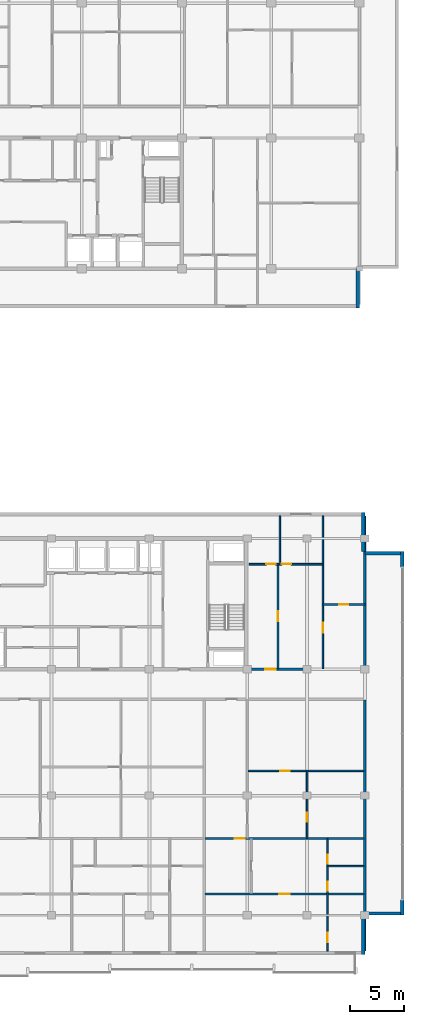
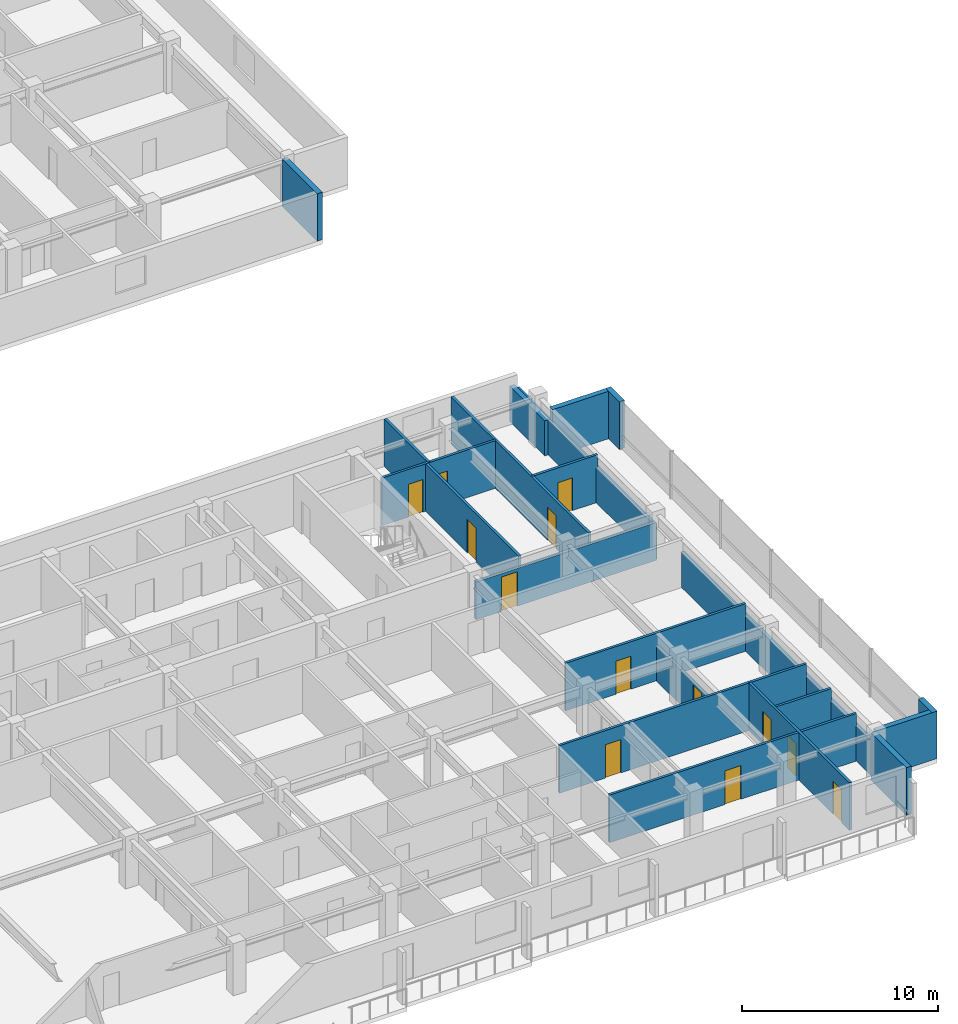
# One storey, part 18 of 30: 21 walls, 13 doors, 13 openings.
"""IFC4 building model written with IfcOpenShell, lengths in metres."""

from ifc_helpers import new_model, si_unit, direction, frame, frame_2d, origin, place, context, subcontext, project, spatial, rectangle, extrude, material, layer, layer_set, type_object, element, fill, save


model = new_model("IFC4")

# Units and contexts
model_context = context("Model", 3, precision=1e-05, world=origin(), true_north=direction((0.0, 1.0)))
body_context = subcontext(model_context, "Body", "Model", "MODEL_VIEW")
ifc_project = project(units=[si_unit("LENGTHUNIT", "METRE"), si_unit("AREAUNIT", "SQUARE_METRE"), si_unit("VOLUMEUNIT", "CUBIC_METRE"), si_unit("PLANEANGLEUNIT", "RADIAN"), si_unit("MASSUNIT", "GRAM", prefix="KILO")], contexts=[model_context])

# Site, building, storey
site_placement = place(None, origin())
site = spatial("IfcSite", under=ifc_project, at=site_placement, CompositionType="ELEMENT")
building_placement = place(site_placement, origin())
building = spatial("IfcBuilding", under=site, at=building_placement, Name="Korimba Cascade Residences", CompositionType="ELEMENT")
storey_placement = place(building_placement, frame((0.0, 0.0, 201.10009765625)))
storey = spatial("IfcBuildingStorey", under=building, at=storey_placement, Name="L58", CompositionType="ELEMENT", Elevation=201.10009765625)

# Walls
ifc_material_1 = material(Name="Precast concrete C40/50", Category="concrete")
ifc_layer_1 = layer(ifc_material_1, 0.300048828125)
ifc_layer_set_1 = layer_set([ifc_layer_1], Name="Precast concrete C40/50")
wall_type_1 = type_object("IfcWallType", Name="EW-STONE-300", PredefinedType="STANDARD", material=ifc_layer_set_1)
wall_1_placement = place(storey_placement, frame((128.25, 51.60009765625, 0.0), z_axis=(0.0, 0.0, 1.0), x_axis=(0.0, 1.0, 0.0)))
element("IfcWall", 1, at=wall_1_placement, inside=storey, type_object=wall_type_1, Name="L58 T1 Perimeter Stone Wall E01", PredefinedType="STANDARD", context=body_context, shape_type="SweptSolid", body=[
    extrude(rectangle(XDim=3.599853515625, YDim=0.300048828125, at=frame_2d((1.7998046875, 0.0))), origin(), (0.0, 0.0, 1.0), 2.969970703125),
])
for number, where, z_axis, x_axis, name in (
    (2, (128.75, -7.800048828125, 0.0), (0.0, 0.0, 1.0), (0.0, 1.0, 0.0), "L58 T2 Perimeter Stone Wall E01"),
    (3, (128.89990234375, -4.050048828125, 0.0), (0.0, 0.0, 1.0), (1.0, 0.0, 0.0), "L58 T2 Perimeter Stone Wall E02"),
):
    element("IfcWall", number, at=place(storey_placement, frame(where, z_axis=z_axis, x_axis=x_axis)), inside=storey, type_object=wall_type_1, Name=name, PredefinedType="STANDARD", context=body_context, shape_type="SweptSolid", body=[
        extrude(rectangle(XDim=3.60009765625, YDim=0.300048828125, at=frame_2d((1.800048828125, 0.0))), origin(), (0.0, 0.0, 1.0), 2.969970703125),
    ])
for number, where, z_axis, x_axis, name in (
    (4, (132.35009765625, -4.199951171875, 0.0), (0.0, 0.0, 1.0), (0.0, 1.0, 0.0), "L58 T2 Sky Pier 3A"),
    (5, (132.35009765625, 27.800048828125, 0.0), (0.0, 0.0, 1.0), (0.0, 1.0, 0.0), "L58 T2 Sky Pier 3B"),
):
    element("IfcWall", number, at=place(storey_placement, frame(where, z_axis=z_axis, x_axis=x_axis)), inside=storey, type_object=wall_type_1, Name=name, PredefinedType="STANDARD", context=body_context, shape_type="SweptSolid", body=[
        extrude(rectangle(XDim=1.39990234375, YDim=0.300048828125, at=frame_2d((0.699951171875, 0.0))), origin(), (0.0, 0.0, 1.0), 2.969970703125),
    ])
wall_2_placement = place(storey_placement, frame((132.5, 29.050048828125, 0.0), z_axis=(0.0, 0.0, 1.0), x_axis=(-1.0, 0.0, 0.0)))
element("IfcWall", 6, at=wall_2_placement, inside=storey, type_object=wall_type_1, Name="L58 T2 Perimeter Stone Wall E04", PredefinedType="STANDARD", context=body_context, shape_type="SweptSolid", body=[
    extrude(rectangle(XDim=3.60009765625, YDim=0.300048828125, at=frame_2d((1.800048828125, 0.0))), origin(), (0.0, 0.0, 1.0), 2.969970703125),
])
wall_3_placement = place(storey_placement, frame((128.75, 29.199951171875, 0.0), z_axis=(0.0, 0.0, 1.0), x_axis=(0.0, 1.0, 0.0)))
element("IfcWall", 7, at=wall_3_placement, inside=storey, type_object=wall_type_1, Name="L58 T2 Perimeter Stone Wall E05", PredefinedType="STANDARD", context=body_context, shape_type="SweptSolid", body=[
    extrude(rectangle(XDim=3.60009765625, YDim=0.300048828125, at=frame_2d((1.800048828125, 0.0))), origin(), (0.0, 0.0, 1.0), 2.2001953125),
])
ifc_layer_2 = layer(ifc_material_1, 0.199951171875)
ifc_layer_set_2 = layer_set([ifc_layer_2], Name="Precast concrete C40/50")
wall_type_2 = type_object("IfcWallType", Name="WAL-IT-200", PredefinedType="PARTITIONING", material=ifc_layer_set_2)
wall_4_placement = place(storey_placement, frame((128.89990234375, 18.39990234375, 0.0), z_axis=(0.0, 0.0, 1.0), x_axis=(0.0, 1.0, 0.0)))
element("IfcWall", 8, at=wall_4_placement, inside=storey, type_object=wall_type_2, Name="L58 Partition Wall WAL-L58-T2-FE-WR", PredefinedType="PARTITIONING", context=body_context, shape_type="SweptSolid", body=[
    extrude(rectangle(XDim=14.10009765625, YDim=0.199951171875, at=frame_2d((7.050048828125, 0.0))), origin(), (0.0, 0.0, 1.0), 2.2001953125),
])

# Wall, opening, door
wall_5_placement = place(storey_placement, frame((118.25, 18.39990234375, 0.0), z_axis=(0.0, 0.0, 1.0), x_axis=(1.0, 0.0, 0.0)))
wall_5 = element("IfcWall", 9, at=wall_5_placement, inside=storey, type_object=wall_type_2, Name="L58 Partition Wall WAL-L58-T2-FE-S", PredefinedType="PARTITIONING", context=body_context, shape_type="SweptSolid", body=[
    extrude(rectangle(XDim=10.64990234375, YDim=0.199951171875, at=frame_2d((5.324951171875, 0.0))), origin(), (0.0, 0.0, 1.0), 2.357666015625),
])
opening_1_placement = place(wall_5_placement, frame((1.510009765625, 0.0, 0.0)))
opening_1 = element("IfcOpeningElement", 10, at=opening_1_placement, cuts=wall_5, Name="Opening D-UN1", PredefinedType="OPENING", context=body_context, shape_type="SweptSolid", body=[
    extrude(rectangle(XDim=0.949951171875, YDim=2.14990234375, at=frame_2d((0.47509765625, 1.074951171875))), frame((0.0, 0.10986328125, 0.0), z_axis=(0.0, -1.0, 0.0), x_axis=(1.0, 0.0, 0.0)), (0.0, 0.0, 1.0), 0.219970703125),
])
ifc_material_2 = material(Name="Fire-Rated Hardwood Apartment Entrance Door", Category="wood")
door_type_1 = type_object("IfcDoorType", Name="DR-FD60-950", OperationType="NOTDEFINED", PredefinedType="DOOR", material=ifc_material_2)
door_1_placement = place(opening_1_placement, origin())
door_1 = element("IfcDoor", 11, at=door_1_placement, inside=storey, type_object=door_type_1, Name="L58-T2-FE Entrance Door", OperationType="SINGLE_SWING_LEFT", OverallHeight=2.14990234375, OverallWidth=0.949951171875, PredefinedType="DOOR", context=body_context, shape_type="SweptSolid", body=[
    extrude(rectangle(XDim=0.949951171875, YDim=2.14990234375, at=frame_2d((0.47509765625, 1.074951171875))), frame((0.0, 0.02490234375, 0.0), z_axis=(0.0, -1.0, 0.0), x_axis=(1.0, 0.0, 0.0)), (0.0, 0.0, 1.0), 0.050048828125),
])
fill(opening_1, door_1)

# Wall
wall_6_placement = place(storey_placement, frame((128.89990234375, -7.5, 0.0), z_axis=(0.0, 0.0, 1.0), x_axis=(0.0, 1.0, 0.0)))
element("IfcWall", 12, at=wall_6_placement, inside=storey, type_object=wall_type_2, Name="L58 Partition Wall WAL-L58-T2-BNDWR", PredefinedType="PARTITIONING", context=body_context, shape_type="SweptSolid", body=[
    extrude(rectangle(XDim=23.070068359375, YDim=0.199951171875, at=frame_2d((11.53515625, 0.0))), origin(), (0.0, 0.0, 1.0), 2.2001953125),
])

# Wall, opening, door
ifc_material_3 = material(Name="Insulated Acoustic Stud Partition", Category="gypsum")
ifc_layer_3 = layer(ifc_material_3, 0.14990234375)
ifc_layer_set_3 = layer_set([ifc_layer_3], Name="Insulated Acoustic Stud Partition")
wall_type_3 = type_object("IfcWallType", Name="WAL-PART-150", PredefinedType="PARTITIONING", material=ifc_layer_set_3)
wall_7_placement = place(storey_placement, frame((125.050048828125, 24.35009765625, 0.0), z_axis=(0.0, 0.0, 1.0), x_axis=(1.0, 0.0, 0.0)))
wall_7 = element("IfcWall", 13, at=wall_7_placement, inside=storey, type_object=wall_type_3, Name="L58 Partition Wall WAL-L58-T2-FE-STH", PredefinedType="PARTITIONING", context=body_context, shape_type="SweptSolid", body=[
    extrude(rectangle(XDim=3.849853515625, YDim=0.14990234375, at=frame_2d((1.9248046875, 0.0))), origin(), (0.0, 0.0, 1.0), 2.969970703125),
])
opening_2_placement = place(wall_7_placement, frame((1.5048828125, 0.0, 0.0)))
opening_2 = element("IfcOpeningElement", 14, at=opening_2_placement, cuts=wall_7, Name="Opening D-BT1", PredefinedType="OPENING", context=body_context, shape_type="SweptSolid", body=[
    extrude(rectangle(XDim=0.840087890625, YDim=2.0400390625, at=frame_2d((0.419921875, 1.02001953125))), frame((0.0, 0.0849609375, 0.0), z_axis=(0.0, -1.0, 0.0), x_axis=(1.0, 0.0, 0.0)), (0.0, 0.0, 1.0), 0.169921875),
])
ifc_material_4 = material(Name="Moisture-Resistant Bathroom Timber Door", Category="wood")
door_type_2 = type_object("IfcDoorType", Name="DR-INT-850", OperationType="NOTDEFINED", PredefinedType="DOOR", material=ifc_material_4)
door_2_placement = place(opening_2_placement, origin())
door_2 = element("IfcDoor", 15, at=door_2_placement, inside=storey, type_object=door_type_2, Name="L58-T2-FE Dressing Store Door", OperationType="SINGLE_SWING_RIGHT", OverallHeight=2.0400390625, OverallWidth=0.840087890625, PredefinedType="DOOR", context=body_context, shape_type="SweptSolid", body=[
    extrude(rectangle(XDim=0.840087890625, YDim=2.0400390625, at=frame_2d((0.419921875, 1.02001953125))), frame((0.0, 0.02490234375, 0.0), z_axis=(0.0, -1.0, 0.0), x_axis=(1.0, 0.0, 0.0)), (0.0, 0.0, 1.0), 0.050048828125),
])
fill(opening_2, door_2)

wall_8_placement = place(storey_placement, frame((125.050048828125, 18.449951171875, 0.0), z_axis=(0.0, 0.0, 1.0), x_axis=(0.0, 1.0, 0.0)))
wall_8 = element("IfcWall", 16, at=wall_8_placement, inside=storey, type_object=wall_type_3, Name="L58 Partition Wall WAL-L58-T2-FE-STV", PredefinedType="PARTITIONING", context=body_context, shape_type="SweptSolid", body=[
    extrude(rectangle(XDim=14.050048828125, YDim=0.14990234375, at=frame_2d((7.02490234375, 0.0))), origin(), (0.0, 0.0, 1.0), 2.969970703125),
])
opening_3_placement = place(wall_8_placement, frame((3.320068359375, 0.0, 0.0)))
opening_3 = element("IfcOpeningElement", 17, at=opening_3_placement, cuts=wall_8, Name="Opening D-IN2", PredefinedType="OPENING", context=body_context, shape_type="SweptSolid", body=[
    extrude(rectangle(XDim=0.8798828125, YDim=2.06005859375, at=frame_2d((0.43994140625, 1.030029296875))), frame((0.0, 0.0849609375, 0.0), z_axis=(0.0, -1.0, 0.0), x_axis=(1.0, 0.0, 0.0)), (0.0, 0.0, 1.0), 0.169921875),
])
ifc_material_5 = material(Name="Acoustic Timber Bedroom Door", Category="wood")
door_type_3 = type_object("IfcDoorType", Name="DR-INT-880", OperationType="NOTDEFINED", PredefinedType="DOOR", material=ifc_material_5)
door_3_placement = place(opening_3_placement, origin())
door_3 = element("IfcDoor", 18, at=door_3_placement, inside=storey, type_object=door_type_3, Name="L58-T2-FE Study Door", OperationType="SINGLE_SWING_LEFT", OverallHeight=2.06005859375, OverallWidth=0.8798828125, PredefinedType="DOOR", context=body_context, shape_type="SweptSolid", body=[
    extrude(rectangle(XDim=0.8798828125, YDim=2.06005859375, at=frame_2d((0.43994140625, 1.030029296875))), frame((0.0, 0.02490234375, 0.0), z_axis=(0.0, -1.0, 0.0), x_axis=(1.0, 0.0, 0.0)), (0.0, 0.0, 1.0), 0.050048828125),
])
fill(opening_3, door_3)

wall_9_placement = place(storey_placement, frame((120.929931640625, 18.449951171875, 0.0), z_axis=(0.0, 0.0, 1.0), x_axis=(0.0, 1.0, 0.0)))
wall_9 = element("IfcWall", 19, at=wall_9_placement, inside=storey, type_object=wall_type_3, Name="L58 Partition Wall WAL-L58-T2-FE-VS", PredefinedType="PARTITIONING", context=body_context, shape_type="SweptSolid", body=[
    extrude(rectangle(XDim=9.60009765625, YDim=0.14990234375, at=frame_2d((4.800048828125, 0.0))), origin(), (0.0, 0.0, 1.0), 2.969970703125),
])
opening_4_placement = place(wall_9_placement, frame((4.340087890625, 0.0, 0.0)))
opening_4 = element("IfcOpeningElement", 20, at=opening_4_placement, cuts=wall_9, Name="Opening D-IN1", PredefinedType="OPENING", context=body_context, shape_type="SweptSolid", body=[
    extrude(rectangle(XDim=0.919921875, YDim=2.080078125, at=frame_2d((0.4599609375, 1.0400390625))), frame((0.0, 0.0849609375, 0.0), z_axis=(0.0, -1.0, 0.0), x_axis=(1.0, 0.0, 0.0)), (0.0, 0.0, 1.0), 0.169921875),
])
ifc_material_6 = material(Name="Acoustic Timber Living Door", Category="wood")
door_type_4 = type_object("IfcDoorType", Name="DR-INT-920", OperationType="NOTDEFINED", PredefinedType="DOOR", material=ifc_material_6)
door_4_placement = place(opening_4_placement, origin())
door_4 = element("IfcDoor", 21, at=door_4_placement, inside=storey, type_object=door_type_4, Name="L58-T2-FE Living Door", OperationType="SINGLE_SWING_RIGHT", OverallHeight=2.080078125, OverallWidth=0.919921875, PredefinedType="DOOR", context=body_context, shape_type="SweptSolid", body=[
    extrude(rectangle(XDim=0.919921875, YDim=2.080078125, at=frame_2d((0.4599609375, 1.0400390625))), frame((0.0, 0.02490234375, 0.0), z_axis=(0.0, -1.0, 0.0), x_axis=(1.0, 0.0, 0.0)), (0.0, 0.0, 1.0), 0.050048828125),
])
fill(opening_4, door_4)

# Wall
wall_10_placement = place(storey_placement, frame((121.10009765625, 28.050048828125, 0.0), z_axis=(0.0, 0.0, 1.0), x_axis=(0.0, 1.0, 0.0)))
element("IfcWall", 22, at=wall_10_placement, inside=storey, type_object=wall_type_3, Name="L58 Partition Wall WAL-L58-T2-FE-VN", PredefinedType="PARTITIONING", context=body_context, shape_type="SweptSolid", body=[
    extrude(rectangle(XDim=4.449951171875, YDim=0.14990234375, at=frame_2d((2.22509765625, 0.0))), origin(), (0.0, 0.0, 1.0), 2.969970703125),
])

# Wall, openings, doors
wall_11_placement = place(storey_placement, frame((118.27001953125, 28.050048828125, 0.0), z_axis=(0.0, 0.0, 1.0), x_axis=(1.0, 0.0, 0.0)))
wall_11 = element("IfcWall", 23, at=wall_11_placement, inside=storey, type_object=wall_type_3, Name="L58 Partition Wall WAL-L58-T2-FE-H", PredefinedType="PARTITIONING", context=body_context, shape_type="SweptSolid", body=[
    extrude(rectangle(XDim=6.760009765625, YDim=0.14990234375, at=frame_2d((3.3798828125, 0.0))), origin(), (0.0, 0.0, 1.0), 2.969970703125),
])
opening_5_placement = place(wall_11_placement, frame((1.58740234375, 0.0, 0.0)))
opening_5 = element("IfcOpeningElement", 24, at=opening_5_placement, cuts=wall_11, Name="Opening D-BT1", PredefinedType="OPENING", context=body_context, shape_type="SweptSolid", body=[
    extrude(rectangle(XDim=0.840087890625, YDim=2.0400390625, at=frame_2d((0.419921875, 1.02001953125))), frame((0.0, 0.0849609375, 0.0), z_axis=(0.0, -1.0, 0.0), x_axis=(1.0, 0.0, 0.0)), (0.0, 0.0, 1.0), 0.169921875),
])
opening_6_placement = place(wall_11_placement, frame((2.988037109375, 0.0, 0.0)))
opening_6 = element("IfcOpeningElement", 25, at=opening_6_placement, cuts=wall_11, Name="Opening D-IN2", PredefinedType="OPENING", context=body_context, shape_type="SweptSolid", body=[
    extrude(rectangle(XDim=0.8798828125, YDim=2.06005859375, at=frame_2d((0.43994140625, 1.030029296875))), frame((0.0, 0.0849609375, 0.0), z_axis=(0.0, -1.0, 0.0), x_axis=(1.0, 0.0, 0.0)), (0.0, 0.0, 1.0), 0.169921875),
])
door_5_placement = place(opening_5_placement, origin())
door_5 = element("IfcDoor", 26, at=door_5_placement, inside=storey, type_object=door_type_2, Name="L58-T2-FE Bathroom Door", OperationType="SINGLE_SWING_LEFT", OverallHeight=2.0400390625, OverallWidth=0.840087890625, PredefinedType="DOOR", context=body_context, shape_type="SweptSolid", body=[
    extrude(rectangle(XDim=0.840087890625, YDim=2.0400390625, at=frame_2d((0.419921875, 1.02001953125))), frame((0.0, 0.02490234375, 0.0), z_axis=(0.0, -1.0, 0.0), x_axis=(1.0, 0.0, 0.0)), (0.0, 0.0, 1.0), 0.050048828125),
])
fill(opening_5, door_5)
door_6_placement = place(opening_6_placement, origin())
door_6 = element("IfcDoor", 27, at=door_6_placement, inside=storey, type_object=door_type_3, Name="L58-T2-FE Bedroom Door", OperationType="SINGLE_SWING_RIGHT", OverallHeight=2.06005859375, OverallWidth=0.8798828125, PredefinedType="DOOR", context=body_context, shape_type="SweptSolid", body=[
    extrude(rectangle(XDim=0.8798828125, YDim=2.06005859375, at=frame_2d((0.43994140625, 1.030029296875))), frame((0.0, 0.02490234375, 0.0), z_axis=(0.0, -1.0, 0.0), x_axis=(1.0, 0.0, 0.0)), (0.0, 0.0, 1.0), 0.050048828125),
])
fill(opening_6, door_6)

# Wall, opening, door
wall_12_placement = place(storey_placement, frame((123.595703125, 2.889892578125, 0.0), z_axis=(0.0, 0.0, 1.0), x_axis=(0.0, 1.0, 0.0)))
wall_12 = element("IfcWall", 28, at=wall_12_placement, inside=storey, type_object=wall_type_3, Name="L58 Partition Wall WAL-L58-T2-U03-FMV", PredefinedType="PARTITIONING", context=body_context, shape_type="SweptSolid", body=[
    extrude(rectangle(XDim=6.170166015625, YDim=0.14990234375, at=frame_2d((3.0849609375, 0.0))), origin(), (0.0, 0.0, 1.0), 2.2001953125),
])
opening_7_placement = place(wall_12_placement, frame((1.485107421875, 0.0, 0.0)))
opening_7 = element("IfcOpeningElement", 29, at=opening_7_placement, cuts=wall_12, Name="Opening D-BT1", PredefinedType="OPENING", context=body_context, shape_type="SweptSolid", body=[
    extrude(rectangle(XDim=0.840087890625, YDim=2.0400390625, at=frame_2d((0.419921875, 1.02001953125))), frame((0.0, 0.0849609375, 0.0), z_axis=(0.0, -1.0, 0.0), x_axis=(1.0, 0.0, 0.0)), (0.0, 0.0, 1.0), 0.169921875),
])
door_7_placement = place(opening_7_placement, origin())
door_7 = element("IfcDoor", 30, at=door_7_placement, inside=storey, type_object=door_type_2, Name="L58-T2-U03 Wardrobe Door", OperationType="SINGLE_SWING_RIGHT", OverallHeight=2.0400390625, OverallWidth=0.840087890625, PredefinedType="DOOR", context=body_context, shape_type="SweptSolid", body=[
    extrude(rectangle(XDim=0.840087890625, YDim=2.0400390625, at=frame_2d((0.419921875, 1.02001953125))), frame((0.0, 0.02490234375, 0.0), z_axis=(0.0, -1.0, 0.0), x_axis=(1.0, 0.0, 0.0)), (0.0, 0.0, 1.0), 0.050048828125),
])
fill(opening_7, door_7)

wall_13_placement = place(storey_placement, frame((118.171630859375, 9.06005859375, 0.0), z_axis=(0.0, 0.0, 1.0), x_axis=(1.0, 0.0, 0.0)))
wall_13 = element("IfcWall", 31, at=wall_13_placement, inside=storey, type_object=wall_type_3, Name="L58 Partition Wall WAL-L58-T2-U03-FMH", PredefinedType="PARTITIONING", context=body_context, shape_type="SweptSolid", body=[
    extrude(rectangle(XDim=10.6484375, YDim=0.14990234375, at=frame_2d((5.32421875, 0.0))), origin(), (0.0, 0.0, 1.0), 2.969970703125),
])
opening_8_placement = place(wall_13_placement, frame((2.972900390625, 0.0, 0.0)))
opening_8 = element("IfcOpeningElement", 32, at=opening_8_placement, cuts=wall_13, Name="Opening D-IN2", PredefinedType="OPENING", context=body_context, shape_type="SweptSolid", body=[
    extrude(rectangle(XDim=0.8798828125, YDim=2.06005859375, at=frame_2d((0.43994140625, 1.030029296875))), frame((0.0, 0.0849609375, 0.0), z_axis=(0.0, -1.0, 0.0), x_axis=(1.0, 0.0, 0.0)), (0.0, 0.0, 1.0), 0.169921875),
])
door_8_placement = place(opening_8_placement, origin())
door_8 = element("IfcDoor", 33, at=door_8_placement, inside=storey, type_object=door_type_3, Name="L58-T2-U03 Library Salon Door", OperationType="SINGLE_SWING_LEFT", OverallHeight=2.06005859375, OverallWidth=0.8798828125, PredefinedType="DOOR", context=body_context, shape_type="SweptSolid", body=[
    extrude(rectangle(XDim=0.8798828125, YDim=2.06005859375, at=frame_2d((0.43994140625, 1.030029296875))), frame((0.0, 0.02490234375, 0.0), z_axis=(0.0, -1.0, 0.0), x_axis=(1.0, 0.0, 0.0)), (0.0, 0.0, 1.0), 0.050048828125),
])
fill(opening_8, door_8)

# Wall
wall_14_placement = place(storey_placement, frame((125.5400390625, 0.31005859375, 0.0), z_axis=(0.0, 0.0, 1.0), x_axis=(1.0, 0.0, 0.0)))
element("IfcWall", 34, at=wall_14_placement, inside=storey, type_object=wall_type_3, Name="L58 Partition Wall WAL-L58-T2-U03-BLDIV", PredefinedType="PARTITIONING", context=body_context, shape_type="SweptSolid", body=[
    extrude(rectangle(XDim=3.280029296875, YDim=0.14990234375, at=frame_2d((1.64013671875, 0.0))), origin(), (0.0, 0.0, 1.0), 2.969970703125),
])

# Wall, openings, doors
wall_15_placement = place(storey_placement, frame((125.47998046875, -7.5, 0.0), z_axis=(0.0, 0.0, 1.0), x_axis=(0.0, 1.0, 0.0)))
wall_15 = element("IfcWall", 35, at=wall_15_placement, inside=storey, type_object=wall_type_3, Name="L58 Partition Wall WAL-L58-T2-U03-V1", PredefinedType="PARTITIONING", context=body_context, shape_type="SweptSolid", body=[
    extrude(rectangle(XDim=10.31005859375, YDim=0.14990234375, at=frame_2d((5.155029296875, 0.0))), origin(), (0.0, 0.0, 1.0), 2.969970703125),
])
opening_9_placement = place(wall_15_placement, frame((5.550048828125, 0.0, 0.0)))
opening_9 = element("IfcOpeningElement", 36, at=opening_9_placement, cuts=wall_15, Name="Opening D-BT1", PredefinedType="OPENING", context=body_context, shape_type="SweptSolid", body=[
    extrude(rectangle(XDim=0.840087890625, YDim=2.0400390625, at=frame_2d((0.419921875, 1.02001953125))), frame((0.0, 0.0849609375, 0.0), z_axis=(0.0, -1.0, 0.0), x_axis=(1.0, 0.0, 0.0)), (0.0, 0.0, 1.0), 0.169921875),
])
opening_10_placement = place(wall_15_placement, frame((8.03955078125, 0.0, 0.0)))
opening_10 = element("IfcOpeningElement", 37, at=opening_10_placement, cuts=wall_15, Name="Opening D-BT1", PredefinedType="OPENING", context=body_context, shape_type="SweptSolid", body=[
    extrude(rectangle(XDim=0.840087890625, YDim=2.0400390625, at=frame_2d((0.419921875, 1.02001953125))), frame((0.0, 0.0849609375, 0.0), z_axis=(0.0, -1.0, 0.0), x_axis=(1.0, 0.0, 0.0)), (0.0, 0.0, 1.0), 0.169921875),
])
opening_11_placement = place(wall_15_placement, frame((0.818115234375, 0.0, 0.0)))
opening_11 = element("IfcOpeningElement", 38, at=opening_11_placement, cuts=wall_15, Name="Opening D-IN2", PredefinedType="OPENING", context=body_context, shape_type="SweptSolid", body=[
    extrude(rectangle(XDim=0.8798828125, YDim=2.06005859375, at=frame_2d((0.43994140625, 1.030029296875))), frame((0.0, 0.0849609375, 0.0), z_axis=(0.0, -1.0, 0.0), x_axis=(1.0, 0.0, 0.0)), (0.0, 0.0, 1.0), 0.169921875),
])
door_9_placement = place(opening_9_placement, origin())
door_9 = element("IfcDoor", 39, at=door_9_placement, inside=storey, type_object=door_type_2, Name="L58-T2-U03 Bathroom Door", OperationType="SINGLE_SWING_RIGHT", OverallHeight=2.0400390625, OverallWidth=0.840087890625, PredefinedType="DOOR", context=body_context, shape_type="SweptSolid", body=[
    extrude(rectangle(XDim=0.840087890625, YDim=2.0400390625, at=frame_2d((0.419921875, 1.02001953125))), frame((0.0, 0.02490234375, 0.0), z_axis=(0.0, -1.0, 0.0), x_axis=(1.0, 0.0, 0.0)), (0.0, 0.0, 1.0), 0.050048828125),
])
fill(opening_9, door_9)
door_10_placement = place(opening_10_placement, origin())
door_10 = element("IfcDoor", 40, at=door_10_placement, inside=storey, type_object=door_type_2, Name="L58-T2-U03 Laundry Door", OperationType="SINGLE_SWING_LEFT", OverallHeight=2.0400390625, OverallWidth=0.840087890625, PredefinedType="DOOR", context=body_context, shape_type="SweptSolid", body=[
    extrude(rectangle(XDim=0.840087890625, YDim=2.0400390625, at=frame_2d((0.419921875, 1.02001953125))), frame((0.0, 0.02490234375, 0.0), z_axis=(0.0, -1.0, 0.0), x_axis=(1.0, 0.0, 0.0)), (0.0, 0.0, 1.0), 0.050048828125),
])
fill(opening_10, door_10)
door_11_placement = place(opening_11_placement, origin())
door_11 = element("IfcDoor", 41, at=door_11_placement, inside=storey, type_object=door_type_3, Name="L58-T2-U03 Bedroom 1 Door", OperationType="SINGLE_SWING_RIGHT", OverallHeight=2.06005859375, OverallWidth=0.8798828125, PredefinedType="DOOR", context=body_context, shape_type="SweptSolid", body=[
    extrude(rectangle(XDim=0.8798828125, YDim=2.06005859375, at=frame_2d((0.43994140625, 1.030029296875))), frame((0.0, 0.02490234375, 0.0), z_axis=(0.0, -1.0, 0.0), x_axis=(1.0, 0.0, 0.0)), (0.0, 0.0, 1.0), 0.050048828125),
])
fill(opening_11, door_11)

# Wall, opening, door
wall_16_placement = place(storey_placement, frame((114.2216796875, 2.85009765625, 0.0), z_axis=(0.0, 0.0, 1.0), x_axis=(1.0, 0.0, 0.0)))
wall_16 = element("IfcWall", 42, at=wall_16_placement, inside=storey, type_object=wall_type_3, Name="L58 Partition Wall WAL-L58-T2-U03-MW", PredefinedType="PARTITIONING", context=body_context, shape_type="SweptSolid", body=[
    extrude(rectangle(XDim=14.598388671875, YDim=0.14990234375, at=frame_2d((7.29931640625, 0.0))), origin(), (0.0, 0.0, 1.0), 2.969970703125),
])
opening_12_placement = place(wall_16_placement, frame((2.719970703125, 0.0, 0.0)))
opening_12 = element("IfcOpeningElement", 43, at=opening_12_placement, cuts=wall_16, Name="Opening D-IN1", PredefinedType="OPENING", context=body_context, shape_type="SweptSolid", body=[
    extrude(rectangle(XDim=0.919921875, YDim=2.080078125, at=frame_2d((0.4599609375, 1.0400390625))), frame((0.0, 0.0849609375, 0.0), z_axis=(0.0, -1.0, 0.0), x_axis=(1.0, 0.0, 0.0)), (0.0, 0.0, 1.0), 0.169921875),
])
door_12_placement = place(opening_12_placement, origin())
door_12 = element("IfcDoor", 44, at=door_12_placement, inside=storey, type_object=door_type_4, Name="L58-T2-U03 Kitchen Archway Door", OperationType="SINGLE_SWING_LEFT", OverallHeight=2.080078125, OverallWidth=0.919921875, PredefinedType="DOOR", context=body_context, shape_type="SweptSolid", body=[
    extrude(rectangle(XDim=0.919921875, YDim=2.080078125, at=frame_2d((0.4599609375, 1.0400390625))), frame((0.0, 0.02490234375, 0.0), z_axis=(0.0, -1.0, 0.0), x_axis=(1.0, 0.0, 0.0)), (0.0, 0.0, 1.0), 0.050048828125),
])
fill(opening_12, door_12)

wall_17_placement = place(storey_placement, frame((114.2216796875, -2.25, 0.0), z_axis=(0.0, 0.0, 1.0), x_axis=(1.0, 0.0, 0.0)))
wall_17 = element("IfcWall", 45, at=wall_17_placement, inside=storey, type_object=wall_type_3, Name="L58 Partition Wall WAL-L58-T2-U03-HZ", PredefinedType="PARTITIONING", context=body_context, shape_type="SweptSolid", body=[
    extrude(rectangle(XDim=14.598388671875, YDim=0.14990234375, at=frame_2d((7.29931640625, 0.0))), origin(), (0.0, 0.0, 1.0), 2.969970703125),
])
opening_13_placement = place(wall_17_placement, frame((6.8291015625, 0.0, 0.0)))
opening_13 = element("IfcOpeningElement", 46, at=opening_13_placement, cuts=wall_17, Name="Opening D-IN0", PredefinedType="OPENING", context=body_context, shape_type="SweptSolid", body=[
    extrude(rectangle(XDim=0.93994140625, YDim=2.10009765625, at=frame_2d((0.469970703125, 1.050048828125))), frame((0.0, 0.0849609375, 0.0), z_axis=(0.0, -1.0, 0.0), x_axis=(1.0, 0.0, 0.0)), (0.0, 0.0, 1.0), 0.169921875),
])
ifc_material_7 = material(Name="Acoustic Timber Living Archway Door", Category="wood")
door_type_5 = type_object("IfcDoorType", Name="DR-INT-950", OperationType="NOTDEFINED", PredefinedType="DOOR", material=ifc_material_7)
door_13_placement = place(opening_13_placement, origin())
door_13 = element("IfcDoor", 47, at=door_13_placement, inside=storey, type_object=door_type_5, Name="L58-T2-U03 Living Archway Door", OperationType="SINGLE_SWING_RIGHT", OverallHeight=2.10009765625, OverallWidth=0.93994140625, PredefinedType="DOOR", context=body_context, shape_type="SweptSolid", body=[
    extrude(rectangle(XDim=0.93994140625, YDim=2.10009765625, at=frame_2d((0.469970703125, 1.050048828125))), frame((0.0, 0.02490234375, 0.0), z_axis=(0.0, -1.0, 0.0), x_axis=(1.0, 0.0, 0.0)), (0.0, 0.0, 1.0), 0.050048828125),
])
fill(opening_13, door_13)

save(model, "model.ifc")
